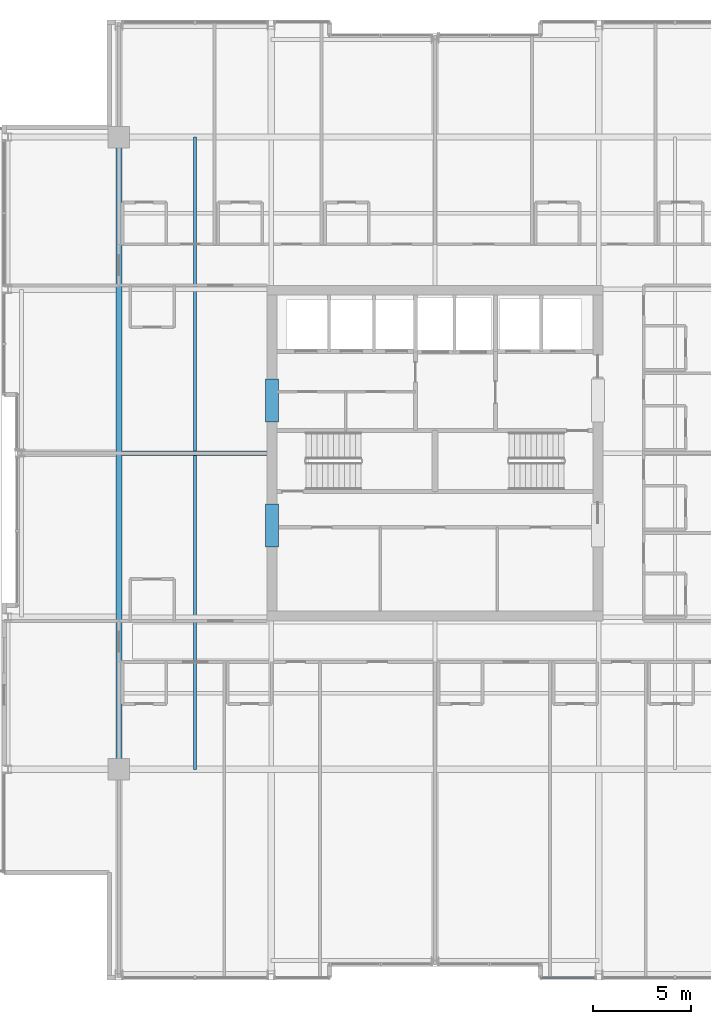
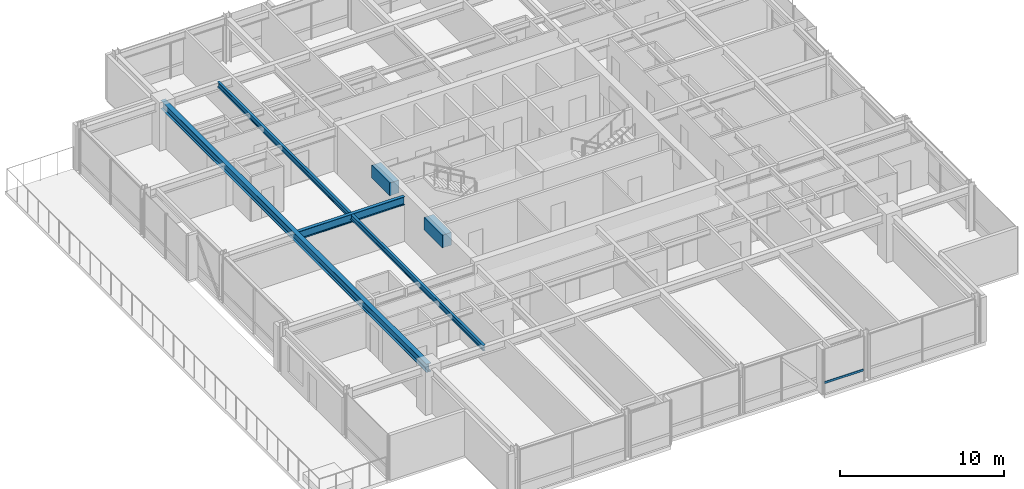
# One storey, part 9 of 32: 5 beams, 1 member, 1 element without a shape of its own.
"""IFC4 building model written with IfcOpenShell, lengths in metres."""

from ifc_helpers import new_model, si_unit, direction, frame, origin, origin_2d, place, context, subcontext, project, spatial, rectangle, hollow_rectangle, i_section, extrude, material, layer, layer_set, material_profile, profile_set, type_object, element, aggregate, save


model = new_model("IFC4")

# Units and contexts
model_context = context("Model", 3, precision=1e-05, world=origin(), true_north=direction((0.0, 1.0)))
body_context = subcontext(model_context, "Body", "Model", "MODEL_VIEW")
ifc_project = project(units=[si_unit("LENGTHUNIT", "METRE"), si_unit("AREAUNIT", "SQUARE_METRE"), si_unit("VOLUMEUNIT", "CUBIC_METRE"), si_unit("PLANEANGLEUNIT", "RADIAN"), si_unit("MASSUNIT", "GRAM", prefix="KILO")], contexts=[model_context])

# Site, building, storey
site_placement = place(None, origin())
site = spatial("IfcSite", under=ifc_project, at=site_placement, CompositionType="ELEMENT")
building_placement = place(site_placement, origin())
building = spatial("IfcBuilding", under=site, at=building_placement, Name="Drelvath Grand Hotel", CompositionType="ELEMENT")
storey_placement = place(building_placement, frame((0.0, 0.0, 205.10009765625)))
storey = spatial("IfcBuildingStorey", under=building, at=storey_placement, Name="L53", CompositionType="ELEMENT", Elevation=205.10009765625)

# Beams
ifc_material_1 = material(Name="Steel ASTM A992 Gr 50", Category="steel")
ifc_material_profile_1 = material_profile(ifc_material_1, i_section(OverallWidth=0.177734375, OverallDepth=0.40673828125, WebThickness=0.0078125, FlangeThickness=0.0126953125, FilletRadius=0.014892578125, at=origin_2d()), Name="W16X40")
ifc_profile_set_1 = profile_set([ifc_material_profile_1], Name="Steel ASTM A992 Gr 50")
beam_type_1 = type_object("IfcBeamType", Name="Composite Floor Joist W16X40", PredefinedType="JOIST", material=ifc_profile_set_1)
beam_1_placement = place(storey_placement, frame((-12.300048828125, 10.800048828125, 3.136474609375), z_axis=(0.0, 1.0, 0.0), x_axis=(-1.0, 0.0, 0.0)))
element("IfcBeam", 1, at=beam_1_placement, inside=storey, type_object=beam_type_1, Name="L53 Wing Floor Joist J3", PredefinedType="JOIST", context=body_context, shape_type="SweptSolid", body=[
    extrude(i_section(OverallWidth=0.177734375, OverallDepth=0.40673828125, WebThickness=0.0078125, FlangeThickness=0.0126953125, FilletRadius=0.014892578125, at=origin_2d()), origin(), (0.0, 0.0, 1.0), 32.39990234375),
])
ifc_material_2 = material(Name="Concrete f'c 55 MPa", Category="concrete")
ifc_material_profile_2 = material_profile(ifc_material_2, rectangle(XDim=0.64990234375, YDim=0.949951171875, at=origin_2d()), Name="CB650X950")
ifc_profile_set_2 = profile_set([ifc_material_profile_2], Name="Concrete f'c 55 MPa")
beam_type_2 = type_object("IfcBeamType", Name="Core Coupling Lintel CB650X950", PredefinedType="LINTEL", material=ifc_profile_set_2)
for number, where, z_axis, x_axis, name in (
    (2, (-8.35009765625, 22.199951171875, 2.864990234375), (0.0, 1.0, 0.0), (-1.0, 0.0, 0.0), "L53 Core Coupling Lintel WS"),
    (3, (-8.35009765625, 28.60009765625, 2.864990234375), (0.0, 1.0, 0.0), (-1.0, 0.0, 0.0), "L53 Core Coupling Lintel WN"),
):
    element("IfcBeam", number, at=place(storey_placement, frame(where, z_axis=z_axis, x_axis=x_axis)), inside=storey, type_object=beam_type_2, Name=name, PredefinedType="LINTEL", context=body_context, shape_type="SweptSolid", body=[
        extrude(rectangle(XDim=0.64990234375, YDim=0.949951171875, at=origin_2d()), origin(), (0.0, 0.0, 1.0), 2.199951171875),
    ])

# Curtain wall, member
ifc_material_3 = material(Name="Platinum-Mist Anodised Aluminium Frame", Category="aluminium")
ifc_layer = layer(ifc_material_3, 0.199951171875)
ifc_layer_set = layer_set([ifc_layer], Name="Platinum-Mist Anodised Aluminium Frame")
curtain_wall_type = type_object("IfcCurtainWallType", Name="Stick Curtain Wall CW-05 Platinum Mist High-Rise", PredefinedType="NOTDEFINED", material=ifc_layer_set)
curtain_wall_placement = place(storey_placement, origin())
curtain_wall = element("IfcCurtainWall", 4, at=curtain_wall_placement, inside=storey, type_object=curtain_wall_type, Name="L53 CW-05 Curtain Wall CW05-L53-SE1", PredefinedType="NOTDEFINED")
ifc_material_profile_3 = material_profile(ifc_material_3, hollow_rectangle(XDim=0.06494140625, YDim=0.159912109375, WallThickness=0.00390625, at=origin_2d()), Name="HSS160X65X4")
ifc_profile_set_3 = profile_set([ifc_material_profile_3], Name="Platinum-Mist Anodised Aluminium Frame")
member_type = type_object("IfcMemberType", Name="Curtain Wall Horizontal Transom CW-05 HSS160X65X4", PredefinedType="USERDEFINED", material=ifc_profile_set_3)
member_placement = place(storey_placement, frame((8.1748046875, 0.1201171875, 0.8349609375), z_axis=(-1.0, 0.0, 0.0), x_axis=(0.0, -1.0, 0.0)))
member = element("IfcMember", 5, at=member_placement, type_object=member_type, Name="CW05-L53-SE1 Sill Transom", ObjectType="TRANSOM", PredefinedType="USERDEFINED", context=body_context, shape_type="SweptSolid", body=[
    extrude(hollow_rectangle(XDim=0.06494140625, YDim=0.159912109375, WallThickness=0.00390625, at=origin_2d()), origin(), (0.0, 0.0, 1.0), 2.73486328125),
])
aggregate(curtain_wall, [member])

# Beams
ifc_material_profile_4 = material_profile(ifc_material_1, i_section(OverallWidth=0.323974609375, OverallDepth=0.611083984375, WebThickness=0.0126953125, FlangeThickness=0.01904296875, FilletRadius=0.02197265625, at=origin_2d()), Name="W24X104")
ifc_profile_set_4 = profile_set([ifc_material_profile_4], Name="Steel ASTM A992 Gr 50")
beam_type_3 = type_object("IfcBeamType", Name="Primary Floor Girder W24X104", PredefinedType="BEAM", material=ifc_profile_set_4)
beam_2_placement = place(storey_placement, frame((-16.199951171875, 10.800048828125, 3.034423828125), z_axis=(0.0, 1.0, 0.0), x_axis=(-1.0, 0.0, 0.0)))
element("IfcBeam", 6, at=beam_2_placement, inside=storey, type_object=beam_type_3, Name="L53 Mega Ring Girder West", PredefinedType="BEAM", context=body_context, shape_type="SweptSolid", body=[
    extrude(i_section(OverallWidth=0.323974609375, OverallDepth=0.611083984375, WebThickness=0.0126953125, FlangeThickness=0.01904296875, FilletRadius=0.02197265625, at=origin_2d()), origin(), (0.0, 0.0, 1.0), 32.39990234375),
])
ifc_material_profile_5 = material_profile(ifc_material_1, i_section(OverallWidth=0.228271484375, OverallDepth=0.607666015625, WebThickness=0.01123046875, FlangeThickness=0.017333984375, FilletRadius=0.02001953125, at=origin_2d()), Name="W24X76")
ifc_profile_set_5 = profile_set([ifc_material_profile_5], Name="Steel ASTM A992 Gr 50")
beam_type_4 = type_object("IfcBeamType", Name="Primary Floor Girder W24X76", PredefinedType="BEAM", material=ifc_profile_set_5)
beam_3_placement = place(storey_placement, frame((-16.0380859375, 27.0, 3.0361328125), z_axis=(1.0, 0.0, 0.0), x_axis=(0.0, 1.0, 0.0)))
element("IfcBeam", 7, at=beam_3_placement, inside=storey, type_object=beam_type_4, Name="L53 West Core Tie E", PredefinedType="BEAM", context=body_context, shape_type="SweptSolid", body=[
    extrude(i_section(OverallWidth=0.228271484375, OverallDepth=0.607666015625, WebThickness=0.01123046875, FlangeThickness=0.017333984375, FilletRadius=0.02001953125, at=origin_2d()), origin(), (0.0, 0.0, 1.0), 7.43798828125),
])

save(model, "model.ifc")
